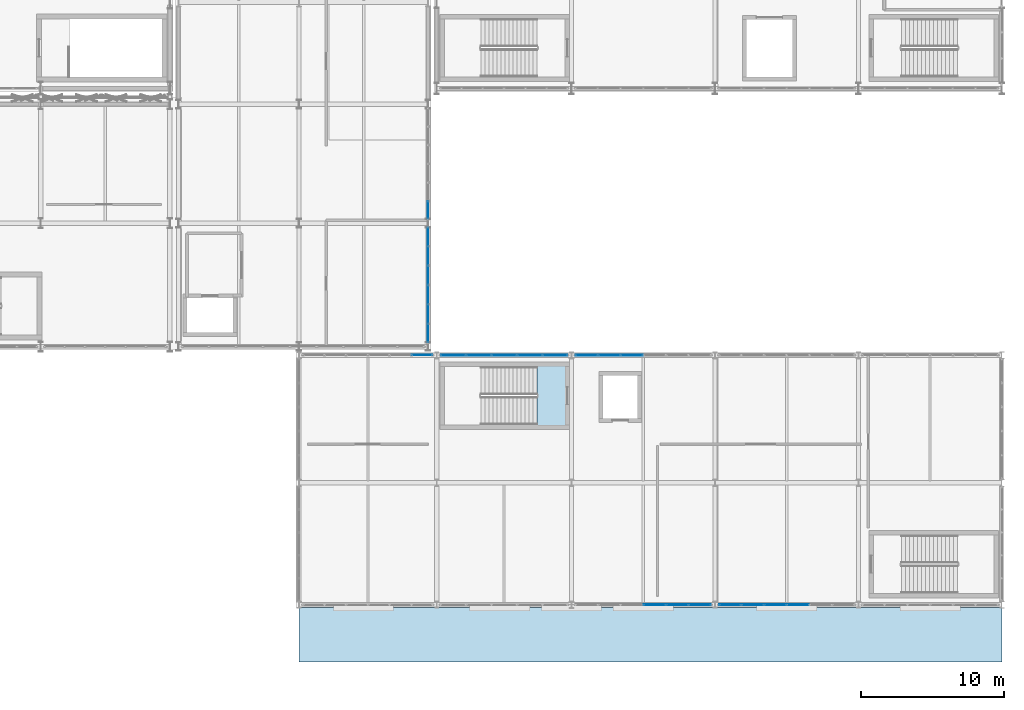
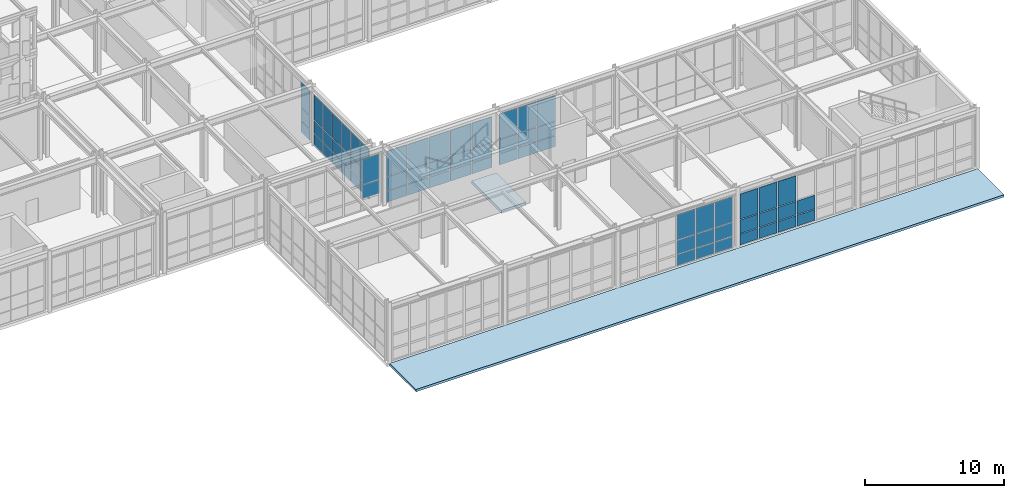
# One storey, part 143 of 210: 67 plates, 2 slabs, 7 elements without a shape of their own.
"""IFC4 building model written with IfcOpenShell, lengths in metres."""

from ifc_helpers import new_model, si_unit, direction, frame, origin, origin_2d, place, context, subcontext, project, spatial, polyline, rectangle, outline, extrude, material, layer, layer_set, type_object, element, aggregate, save


model = new_model("IFC4")

# Units and contexts
model_context = context("Model", 3, precision=1e-05, world=origin(), true_north=direction((0.0, 1.0)))
body_context = subcontext(model_context, "Body", "Model", "MODEL_VIEW")
ifc_project = project(units=[si_unit("LENGTHUNIT", "METRE"), si_unit("AREAUNIT", "SQUARE_METRE"), si_unit("VOLUMEUNIT", "CUBIC_METRE"), si_unit("PLANEANGLEUNIT", "RADIAN"), si_unit("MASSUNIT", "GRAM", prefix="KILO")], contexts=[model_context])

# Site, building, storey
site_placement = place(None, origin())
site = spatial("IfcSite", under=ifc_project, at=site_placement, CompositionType="ELEMENT")
building_placement = place(site_placement, origin())
building = spatial("IfcBuilding", under=site, at=building_placement, Name="Kaldris Quays Convention Centre", CompositionType="ELEMENT")
storey_placement = place(building_placement, frame((0.0, 0.0, 6.0)))
storey = spatial("IfcBuildingStorey", under=building, at=storey_placement, Name="L01", CompositionType="ELEMENT", Elevation=6.0)

# Curtain wall, plates
ifc_material_1 = material(Name="Anodized aluminium AW-6060 and triple glazing", Category="aluminium")
curtain_wall_type_1 = type_object("IfcCurtainWallType", Name="UNITISED CURTAIN WALL CW04", PredefinedType="NOTDEFINED", material=ifc_material_1)
curtain_wall_1_placement = place(storey_placement, origin())
curtain_wall_1 = element("IfcCurtainWall", 1, at=curtain_wall_1_placement, inside=storey, type_object=curtain_wall_type_1, Name="L01 Unitised Curtain Wall CW04 138", PredefinedType="NOTDEFINED")
ifc_material_2 = material(Name="Triple low-E insulated glazing", Category="glass")
plate_type_1 = type_object("IfcPlateType", Name="CURTAIN GLAZING PANEL CWP2", PredefinedType="CURTAIN_PANEL", material=ifc_material_2)
plate_1_placement = place(storey_placement, frame((164.0, 38.93994140625, 0.06005859375), z_axis=(0.0, 0.0, 1.0), x_axis=(0.0, 1.0, 0.0)))
plate_1 = element("IfcPlate", 2, at=plate_1_placement, type_object=plate_type_1, Name="CW04 panel 1.1", PredefinedType="CURTAIN_PANEL", context=body_context, shape_type="SweptSolid", body=[
    extrude(rectangle(XDim=1.260009765625, YDim=0.033935546875, at=origin_2d()), origin(), (0.0, 0.0, 1.0), 0.9599609375),
])
plate_2_placement = place(storey_placement, frame((164.0, 38.93994140625, 1.080078125), z_axis=(0.0, 0.0, 1.0), x_axis=(0.0, 1.0, 0.0)))
plate_2 = element("IfcPlate", 3, at=plate_2_placement, type_object=plate_type_1, Name="CW04 panel 1.2", PredefinedType="CURTAIN_PANEL", context=body_context, shape_type="SweptSolid", body=[
    extrude(rectangle(XDim=1.260009765625, YDim=0.033935546875, at=origin_2d()), origin(), (0.0, 0.0, 1.0), 1.14892578125),
])
plate_3_placement = place(storey_placement, frame((164.0, 38.93994140625, 2.2890625), z_axis=(0.0, 0.0, 1.0), x_axis=(0.0, 1.0, 0.0)))
plate_3 = element("IfcPlate", 4, at=plate_3_placement, type_object=plate_type_1, Name="CW04 panel 1.3", PredefinedType="CURTAIN_PANEL", context=body_context, shape_type="SweptSolid", body=[
    extrude(rectangle(XDim=1.260009765625, YDim=0.033935546875, at=origin_2d()), origin(), (0.0, 0.0, 1.0), 2.1689453125),
])
plate_4_placement = place(storey_placement, frame((164.0, 40.27490234375, 0.06005859375), z_axis=(0.0, 0.0, 1.0), x_axis=(0.0, 1.0, 0.0)))
plate_4 = element("IfcPlate", 5, at=plate_4_placement, type_object=plate_type_1, Name="CW04 panel 2.1", PredefinedType="CURTAIN_PANEL", context=body_context, shape_type="SweptSolid", body=[
    extrude(rectangle(XDim=1.2900390625, YDim=0.033935546875, at=origin_2d()), origin(), (0.0, 0.0, 1.0), 0.9599609375),
])
plate_5_placement = place(storey_placement, frame((164.0, 40.27490234375, 1.080078125), z_axis=(0.0, 0.0, 1.0), x_axis=(0.0, 1.0, 0.0)))
plate_5 = element("IfcPlate", 6, at=plate_5_placement, type_object=plate_type_1, Name="CW04 panel 2.2", PredefinedType="CURTAIN_PANEL", context=body_context, shape_type="SweptSolid", body=[
    extrude(rectangle(XDim=1.2900390625, YDim=0.033935546875, at=origin_2d()), origin(), (0.0, 0.0, 1.0), 1.14892578125),
])
plate_6_placement = place(storey_placement, frame((164.0, 40.27490234375, 2.2890625), z_axis=(0.0, 0.0, 1.0), x_axis=(0.0, 1.0, 0.0)))
plate_6 = element("IfcPlate", 7, at=plate_6_placement, type_object=plate_type_1, Name="CW04 panel 2.3", PredefinedType="CURTAIN_PANEL", context=body_context, shape_type="SweptSolid", body=[
    extrude(rectangle(XDim=1.2900390625, YDim=0.033935546875, at=origin_2d()), origin(), (0.0, 0.0, 1.0), 2.1689453125),
])
plate_7_placement = place(storey_placement, frame((164.0, 41.625, 0.06005859375), z_axis=(0.0, 0.0, 1.0), x_axis=(0.0, 1.0, 0.0)))
plate_7 = element("IfcPlate", 8, at=plate_7_placement, type_object=plate_type_1, Name="CW04 panel 3.1", PredefinedType="CURTAIN_PANEL", context=body_context, shape_type="SweptSolid", body=[
    extrude(rectangle(XDim=1.2900390625, YDim=0.033935546875, at=origin_2d()), origin(), (0.0, 0.0, 1.0), 0.9599609375),
])
plate_8_placement = place(storey_placement, frame((164.0, 41.625, 1.080078125), z_axis=(0.0, 0.0, 1.0), x_axis=(0.0, 1.0, 0.0)))
plate_8 = element("IfcPlate", 9, at=plate_8_placement, type_object=plate_type_1, Name="CW04 panel 3.2", PredefinedType="CURTAIN_PANEL", context=body_context, shape_type="SweptSolid", body=[
    extrude(rectangle(XDim=1.2900390625, YDim=0.033935546875, at=origin_2d()), origin(), (0.0, 0.0, 1.0), 1.14892578125),
])
plate_9_placement = place(storey_placement, frame((164.0, 41.625, 2.2890625), z_axis=(0.0, 0.0, 1.0), x_axis=(0.0, 1.0, 0.0)))
plate_9 = element("IfcPlate", 10, at=plate_9_placement, type_object=plate_type_1, Name="CW04 panel 3.3", PredefinedType="CURTAIN_PANEL", context=body_context, shape_type="SweptSolid", body=[
    extrude(rectangle(XDim=1.2900390625, YDim=0.033935546875, at=origin_2d()), origin(), (0.0, 0.0, 1.0), 2.1689453125),
])
plate_10_placement = place(storey_placement, frame((164.0, 42.97509765625, 0.06005859375), z_axis=(0.0, 0.0, 1.0), x_axis=(0.0, 1.0, 0.0)))
plate_10 = element("IfcPlate", 11, at=plate_10_placement, type_object=plate_type_1, Name="CW04 panel 4.1", PredefinedType="CURTAIN_PANEL", context=body_context, shape_type="SweptSolid", body=[
    extrude(rectangle(XDim=1.2900390625, YDim=0.033935546875, at=origin_2d()), origin(), (0.0, 0.0, 1.0), 0.9599609375),
])
plate_11_placement = place(storey_placement, frame((164.0, 42.97509765625, 1.080078125), z_axis=(0.0, 0.0, 1.0), x_axis=(0.0, 1.0, 0.0)))
plate_11 = element("IfcPlate", 12, at=plate_11_placement, type_object=plate_type_1, Name="CW04 panel 4.2", PredefinedType="CURTAIN_PANEL", context=body_context, shape_type="SweptSolid", body=[
    extrude(rectangle(XDim=1.2900390625, YDim=0.033935546875, at=origin_2d()), origin(), (0.0, 0.0, 1.0), 1.14892578125),
])
plate_12_placement = place(storey_placement, frame((164.0, 42.97509765625, 2.2890625), z_axis=(0.0, 0.0, 1.0), x_axis=(0.0, 1.0, 0.0)))
plate_12 = element("IfcPlate", 13, at=plate_12_placement, type_object=plate_type_1, Name="CW04 panel 4.3", PredefinedType="CURTAIN_PANEL", context=body_context, shape_type="SweptSolid", body=[
    extrude(rectangle(XDim=1.2900390625, YDim=0.033935546875, at=origin_2d()), origin(), (0.0, 0.0, 1.0), 2.1689453125),
])
plate_13_placement = place(storey_placement, frame((164.0, 44.324951171875, 0.06005859375), z_axis=(0.0, 0.0, 1.0), x_axis=(0.0, 1.0, 0.0)))
plate_13 = element("IfcPlate", 14, at=plate_13_placement, type_object=plate_type_1, Name="CW04 panel 5.1", PredefinedType="CURTAIN_PANEL", context=body_context, shape_type="SweptSolid", body=[
    extrude(rectangle(XDim=1.2900390625, YDim=0.033935546875, at=origin_2d()), origin(), (0.0, 0.0, 1.0), 0.9599609375),
])
plate_14_placement = place(storey_placement, frame((164.0, 44.324951171875, 1.080078125), z_axis=(0.0, 0.0, 1.0), x_axis=(0.0, 1.0, 0.0)))
plate_14 = element("IfcPlate", 15, at=plate_14_placement, type_object=plate_type_1, Name="CW04 panel 5.2", PredefinedType="CURTAIN_PANEL", context=body_context, shape_type="SweptSolid", body=[
    extrude(rectangle(XDim=1.2900390625, YDim=0.033935546875, at=origin_2d()), origin(), (0.0, 0.0, 1.0), 1.14892578125),
])
plate_15_placement = place(storey_placement, frame((164.0, 44.324951171875, 2.2890625), z_axis=(0.0, 0.0, 1.0), x_axis=(0.0, 1.0, 0.0)))
plate_15 = element("IfcPlate", 16, at=plate_15_placement, type_object=plate_type_1, Name="CW04 panel 5.3", PredefinedType="CURTAIN_PANEL", context=body_context, shape_type="SweptSolid", body=[
    extrude(rectangle(XDim=1.2900390625, YDim=0.033935546875, at=origin_2d()), origin(), (0.0, 0.0, 1.0), 2.1689453125),
])
plate_16_placement = place(storey_placement, frame((164.0, 45.659912109375, 0.06005859375), z_axis=(0.0, 0.0, 1.0), x_axis=(0.0, 1.0, 0.0)))
plate_16 = element("IfcPlate", 17, at=plate_16_placement, type_object=plate_type_1, Name="CW04 panel 6.1", PredefinedType="CURTAIN_PANEL", context=body_context, shape_type="SweptSolid", body=[
    extrude(rectangle(XDim=1.260009765625, YDim=0.033935546875, at=origin_2d()), origin(), (0.0, 0.0, 1.0), 0.9599609375),
])
plate_17_placement = place(storey_placement, frame((164.0, 45.659912109375, 1.080078125), z_axis=(0.0, 0.0, 1.0), x_axis=(0.0, 1.0, 0.0)))
plate_17 = element("IfcPlate", 18, at=plate_17_placement, type_object=plate_type_1, Name="CW04 panel 6.2", PredefinedType="CURTAIN_PANEL", context=body_context, shape_type="SweptSolid", body=[
    extrude(rectangle(XDim=1.260009765625, YDim=0.033935546875, at=origin_2d()), origin(), (0.0, 0.0, 1.0), 1.14892578125),
])
plate_18_placement = place(storey_placement, frame((164.0, 45.659912109375, 2.2890625), z_axis=(0.0, 0.0, 1.0), x_axis=(0.0, 1.0, 0.0)))
plate_18 = element("IfcPlate", 19, at=plate_18_placement, type_object=plate_type_1, Name="CW04 panel 6.3", PredefinedType="CURTAIN_PANEL", context=body_context, shape_type="SweptSolid", body=[
    extrude(rectangle(XDim=1.260009765625, YDim=0.033935546875, at=origin_2d()), origin(), (0.0, 0.0, 1.0), 2.1689453125),
])
aggregate(curtain_wall_1, [plate_1, plate_2, plate_3, plate_4, plate_5, plate_6, plate_7, plate_8, plate_9, plate_10, plate_11, plate_12, plate_13, plate_14, plate_15, plate_16, plate_17, plate_18])

curtain_wall_type_2 = type_object("IfcCurtainWallType", Name="UNITISED CURTAIN WALL CW02", PredefinedType="NOTDEFINED", material=ifc_material_1)
curtain_wall_2_placement = place(storey_placement, origin())
curtain_wall_2 = element("IfcCurtainWall", 20, at=curtain_wall_2_placement, inside=storey, type_object=curtain_wall_type_2, Name="L01 Unitised Curtain Wall CW02 186", PredefinedType="NOTDEFINED")
plate_19_placement = place(storey_placement, frame((163.57666015625, 37.39990234375, 1.080078125), z_axis=(0.0, 0.0, 1.0), x_axis=(1.0, 0.0, 0.0)))
plate_19 = element("IfcPlate", 21, at=plate_19_placement, type_object=plate_type_1, Name="CW02 panel 6.2", PredefinedType="CURTAIN_PANEL", context=body_context, shape_type="SweptSolid", body=[
    extrude(rectangle(XDim=1.4267578125, YDim=0.033935546875, at=origin_2d()), origin(), (0.0, 0.0, 1.0), 1.18994140625),
])
plate_20_placement = place(storey_placement, frame((163.57666015625, 37.39990234375, 2.330078125), z_axis=(0.0, 0.0, 1.0), x_axis=(1.0, 0.0, 0.0)))
plate_20 = element("IfcPlate", 22, at=plate_20_placement, type_object=plate_type_1, Name="CW02 panel 6.3", PredefinedType="CURTAIN_PANEL", context=body_context, shape_type="SweptSolid", body=[
    extrude(rectangle(XDim=1.4267578125, YDim=0.033935546875, at=origin_2d()), origin(), (0.0, 0.0, 1.0), 2.2099609375),
])
aggregate(curtain_wall_2, [plate_19, plate_20])

curtain_wall_3_placement = place(storey_placement, origin())
curtain_wall_3 = element("IfcCurtainWall", 23, at=curtain_wall_3_placement, inside=storey, type_object=curtain_wall_type_1, Name="L01 Unitised Curtain Wall CW04 139", PredefinedType="NOTDEFINED")
plate_type_2 = type_object("IfcPlateType", Name="CURTAIN GLAZING PANEL CWP3", PredefinedType="CURTAIN_PANEL", material=ifc_material_2)
plate_21_placement = place(storey_placement, frame((164.0, 47.514892578125, 0.06005859375), z_axis=(0.0, 0.0, 1.0), x_axis=(0.0, 1.0, 0.0)))
plate_21 = element("IfcPlate", 24, at=plate_21_placement, type_object=plate_type_2, Name="CW04 panel 1.1", PredefinedType="CURTAIN_PANEL", context=body_context, shape_type="SweptSolid", body=[
    extrude(rectangle(XDim=1.2099609375, YDim=0.0390625, at=origin_2d()), origin(), (0.0, 0.0, 1.0), 0.9599609375),
])
plate_22_placement = place(storey_placement, frame((164.0, 47.514892578125, 1.080078125), z_axis=(0.0, 0.0, 1.0), x_axis=(0.0, 1.0, 0.0)))
plate_22 = element("IfcPlate", 25, at=plate_22_placement, type_object=plate_type_2, Name="CW04 panel 1.2", PredefinedType="CURTAIN_PANEL", context=body_context, shape_type="SweptSolid", body=[
    extrude(rectangle(XDim=1.2099609375, YDim=0.0390625, at=origin_2d()), origin(), (0.0, 0.0, 1.0), 1.14892578125),
])
plate_23_placement = place(storey_placement, frame((164.0, 47.514892578125, 2.2890625), z_axis=(0.0, 0.0, 1.0), x_axis=(0.0, 1.0, 0.0)))
plate_23 = element("IfcPlate", 26, at=plate_23_placement, type_object=plate_type_2, Name="CW04 panel 1.3", PredefinedType="CURTAIN_PANEL", context=body_context, shape_type="SweptSolid", body=[
    extrude(rectangle(XDim=1.2099609375, YDim=0.0390625, at=origin_2d()), origin(), (0.0, 0.0, 1.0), 2.1689453125),
])
aggregate(curtain_wall_3, [plate_21, plate_22, plate_23])

curtain_wall_4_placement = place(storey_placement, origin())
curtain_wall_4 = element("IfcCurtainWall", 27, at=curtain_wall_4_placement, inside=storey, type_object=curtain_wall_type_2, Name="L01 Unitised Curtain Wall CW02 188", PredefinedType="NOTDEFINED")
plate_type_3 = type_object("IfcPlateType", Name="CURTAIN GLAZING PANEL CWP4", PredefinedType="CURTAIN_PANEL", material=ifc_material_2)
plate_24_placement = place(storey_placement, frame((165.7548828125, 37.39990234375, 0.06005859375), z_axis=(0.0, 0.0, 1.0), x_axis=(1.0, 0.0, 0.0)))
plate_24 = element("IfcPlate", 28, at=plate_24_placement, type_object=plate_type_3, Name="CW02 panel 1.1", PredefinedType="CURTAIN_PANEL", context=body_context, shape_type="SweptSolid", body=[
    extrude(rectangle(XDim=1.68994140625, YDim=0.0439453125, at=origin_2d()), origin(), (0.0, 0.0, 1.0), 0.9599609375),
])
plate_25_placement = place(storey_placement, frame((165.7548828125, 37.39990234375, 1.080078125), z_axis=(0.0, 0.0, 1.0), x_axis=(1.0, 0.0, 0.0)))
plate_25 = element("IfcPlate", 29, at=plate_25_placement, type_object=plate_type_3, Name="CW02 panel 1.2", PredefinedType="CURTAIN_PANEL", context=body_context, shape_type="SweptSolid", body=[
    extrude(rectangle(XDim=1.68994140625, YDim=0.0439453125, at=origin_2d()), origin(), (0.0, 0.0, 1.0), 1.18994140625),
])
plate_26_placement = place(storey_placement, frame((165.7548828125, 37.39990234375, 2.330078125), z_axis=(0.0, 0.0, 1.0), x_axis=(1.0, 0.0, 0.0)))
plate_26 = element("IfcPlate", 30, at=plate_26_placement, type_object=plate_type_3, Name="CW02 panel 1.3", PredefinedType="CURTAIN_PANEL", context=body_context, shape_type="SweptSolid", body=[
    extrude(rectangle(XDim=1.68994140625, YDim=0.0439453125, at=origin_2d()), origin(), (0.0, 0.0, 1.0), 2.2099609375),
])
plate_27_placement = place(storey_placement, frame((167.52001953125, 37.39990234375, 0.06005859375), z_axis=(0.0, 0.0, 1.0), x_axis=(1.0, 0.0, 0.0)))
plate_27 = element("IfcPlate", 31, at=plate_27_placement, type_object=plate_type_3, Name="CW02 panel 2.1", PredefinedType="CURTAIN_PANEL", context=body_context, shape_type="SweptSolid", body=[
    extrude(rectangle(XDim=1.719970703125, YDim=0.0439453125, at=origin_2d()), origin(), (0.0, 0.0, 1.0), 0.9599609375),
])
plate_28_placement = place(storey_placement, frame((167.52001953125, 37.39990234375, 1.080078125), z_axis=(0.0, 0.0, 1.0), x_axis=(1.0, 0.0, 0.0)))
plate_28 = element("IfcPlate", 32, at=plate_28_placement, type_object=plate_type_3, Name="CW02 panel 2.2", PredefinedType="CURTAIN_PANEL", context=body_context, shape_type="SweptSolid", body=[
    extrude(rectangle(XDim=1.719970703125, YDim=0.0439453125, at=origin_2d()), origin(), (0.0, 0.0, 1.0), 1.18994140625),
])
plate_29_placement = place(storey_placement, frame((167.52001953125, 37.39990234375, 2.330078125), z_axis=(0.0, 0.0, 1.0), x_axis=(1.0, 0.0, 0.0)))
plate_29 = element("IfcPlate", 33, at=plate_29_placement, type_object=plate_type_3, Name="CW02 panel 2.3", PredefinedType="CURTAIN_PANEL", context=body_context, shape_type="SweptSolid", body=[
    extrude(rectangle(XDim=1.719970703125, YDim=0.0439453125, at=origin_2d()), origin(), (0.0, 0.0, 1.0), 2.2099609375),
])
plate_30_placement = place(storey_placement, frame((169.300048828125, 37.39990234375, 0.06005859375), z_axis=(0.0, 0.0, 1.0), x_axis=(1.0, 0.0, 0.0)))
plate_30 = element("IfcPlate", 34, at=plate_30_placement, type_object=plate_type_3, Name="CW02 panel 3.1", PredefinedType="CURTAIN_PANEL", context=body_context, shape_type="SweptSolid", body=[
    extrude(rectangle(XDim=1.719970703125, YDim=0.0439453125, at=origin_2d()), origin(), (0.0, 0.0, 1.0), 0.9599609375),
])
plate_31_placement = place(storey_placement, frame((169.300048828125, 37.39990234375, 1.080078125), z_axis=(0.0, 0.0, 1.0), x_axis=(1.0, 0.0, 0.0)))
plate_31 = element("IfcPlate", 35, at=plate_31_placement, type_object=plate_type_3, Name="CW02 panel 3.2", PredefinedType="CURTAIN_PANEL", context=body_context, shape_type="SweptSolid", body=[
    extrude(rectangle(XDim=1.719970703125, YDim=0.0439453125, at=origin_2d()), origin(), (0.0, 0.0, 1.0), 1.18994140625),
])
plate_32_placement = place(storey_placement, frame((169.300048828125, 37.39990234375, 2.330078125), z_axis=(0.0, 0.0, 1.0), x_axis=(1.0, 0.0, 0.0)))
plate_32 = element("IfcPlate", 36, at=plate_32_placement, type_object=plate_type_3, Name="CW02 panel 3.3", PredefinedType="CURTAIN_PANEL", context=body_context, shape_type="SweptSolid", body=[
    extrude(rectangle(XDim=1.719970703125, YDim=0.0439453125, at=origin_2d()), origin(), (0.0, 0.0, 1.0), 2.2099609375),
])
plate_33_placement = place(storey_placement, frame((171.080078125, 37.39990234375, 0.06005859375), z_axis=(0.0, 0.0, 1.0), x_axis=(1.0, 0.0, 0.0)))
plate_33 = element("IfcPlate", 37, at=plate_33_placement, type_object=plate_type_3, Name="CW02 panel 4.1", PredefinedType="CURTAIN_PANEL", context=body_context, shape_type="SweptSolid", body=[
    extrude(rectangle(XDim=1.719970703125, YDim=0.0439453125, at=origin_2d()), origin(), (0.0, 0.0, 1.0), 0.9599609375),
])
plate_34_placement = place(storey_placement, frame((171.080078125, 37.39990234375, 1.080078125), z_axis=(0.0, 0.0, 1.0), x_axis=(1.0, 0.0, 0.0)))
plate_34 = element("IfcPlate", 38, at=plate_34_placement, type_object=plate_type_3, Name="CW02 panel 4.2", PredefinedType="CURTAIN_PANEL", context=body_context, shape_type="SweptSolid", body=[
    extrude(rectangle(XDim=1.719970703125, YDim=0.0439453125, at=origin_2d()), origin(), (0.0, 0.0, 1.0), 1.18994140625),
])
plate_35_placement = place(storey_placement, frame((171.080078125, 37.39990234375, 2.330078125), z_axis=(0.0, 0.0, 1.0), x_axis=(1.0, 0.0, 0.0)))
plate_35 = element("IfcPlate", 39, at=plate_35_placement, type_object=plate_type_3, Name="CW02 panel 4.3", PredefinedType="CURTAIN_PANEL", context=body_context, shape_type="SweptSolid", body=[
    extrude(rectangle(XDim=1.719970703125, YDim=0.0439453125, at=origin_2d()), origin(), (0.0, 0.0, 1.0), 2.2099609375),
])
plate_36_placement = place(storey_placement, frame((172.844970703125, 37.39990234375, 0.06005859375), z_axis=(0.0, 0.0, 1.0), x_axis=(1.0, 0.0, 0.0)))
plate_36 = element("IfcPlate", 40, at=plate_36_placement, type_object=plate_type_3, Name="CW02 panel 5.1", PredefinedType="CURTAIN_PANEL", context=body_context, shape_type="SweptSolid", body=[
    extrude(rectangle(XDim=1.68994140625, YDim=0.0439453125, at=origin_2d()), origin(), (0.0, 0.0, 1.0), 0.9599609375),
])
plate_37_placement = place(storey_placement, frame((172.844970703125, 37.39990234375, 1.080078125), z_axis=(0.0, 0.0, 1.0), x_axis=(1.0, 0.0, 0.0)))
plate_37 = element("IfcPlate", 41, at=plate_37_placement, type_object=plate_type_3, Name="CW02 panel 5.2", PredefinedType="CURTAIN_PANEL", context=body_context, shape_type="SweptSolid", body=[
    extrude(rectangle(XDim=1.68994140625, YDim=0.0439453125, at=origin_2d()), origin(), (0.0, 0.0, 1.0), 1.18994140625),
])
plate_38_placement = place(storey_placement, frame((172.844970703125, 37.39990234375, 2.330078125), z_axis=(0.0, 0.0, 1.0), x_axis=(1.0, 0.0, 0.0)))
plate_38 = element("IfcPlate", 42, at=plate_38_placement, type_object=plate_type_3, Name="CW02 panel 5.3", PredefinedType="CURTAIN_PANEL", context=body_context, shape_type="SweptSolid", body=[
    extrude(rectangle(XDim=1.68994140625, YDim=0.0439453125, at=origin_2d()), origin(), (0.0, 0.0, 1.0), 2.2099609375),
])
aggregate(curtain_wall_4, [plate_24, plate_25, plate_26, plate_27, plate_28, plate_29, plate_30, plate_31, plate_32, plate_33, plate_34, plate_35, plate_36, plate_37, plate_38])

curtain_wall_5_placement = place(storey_placement, origin())
curtain_wall_5 = element("IfcCurtainWall", 43, at=curtain_wall_5_placement, inside=storey, type_object=curtain_wall_type_2, Name="L01 Unitised Curtain Wall CW02 189", PredefinedType="NOTDEFINED")
plate_type_4 = type_object("IfcPlateType", Name="CURTAIN GLAZING PANEL CWP5", PredefinedType="CURTAIN_PANEL", material=ifc_material_2)
plate_39_placement = place(storey_placement, frame((179.791748046875, 20.0, 0.06005859375), z_axis=(0.0, 0.0, 1.0), x_axis=(1.0, 0.0, 0.0)))
plate_39 = element("IfcPlate", 44, at=plate_39_placement, type_object=plate_type_4, Name="CW02 panel 4.1", PredefinedType="CURTAIN_PANEL", context=body_context, shape_type="SweptSolid", body=[
    extrude(rectangle(XDim=1.5234375, YDim=0.049072265625, at=origin_2d()), origin(), (0.0, 0.0, 1.0), 0.9599609375),
])
plate_40_placement = place(storey_placement, frame((179.791748046875, 20.0, 1.080078125), z_axis=(0.0, 0.0, 1.0), x_axis=(1.0, 0.0, 0.0)))
plate_40 = element("IfcPlate", 45, at=plate_40_placement, type_object=plate_type_4, Name="CW02 panel 4.2", PredefinedType="CURTAIN_PANEL", context=body_context, shape_type="SweptSolid", body=[
    extrude(rectangle(XDim=1.5234375, YDim=0.049072265625, at=origin_2d()), origin(), (0.0, 0.0, 1.0), 1.18994140625),
])
plate_41_placement = place(storey_placement, frame((179.791748046875, 20.0, 2.330078125), z_axis=(0.0, 0.0, 1.0), x_axis=(1.0, 0.0, 0.0)))
plate_41 = element("IfcPlate", 46, at=plate_41_placement, type_object=plate_type_4, Name="CW02 panel 4.3", PredefinedType="CURTAIN_PANEL", context=body_context, shape_type="SweptSolid", body=[
    extrude(rectangle(XDim=1.5234375, YDim=0.049072265625, at=origin_2d()), origin(), (0.0, 0.0, 1.0), 2.2099609375),
])
plate_42_placement = place(storey_placement, frame((181.375, 20.0, 0.06005859375), z_axis=(0.0, 0.0, 1.0), x_axis=(1.0, 0.0, 0.0)))
plate_42 = element("IfcPlate", 47, at=plate_42_placement, type_object=plate_type_4, Name="CW02 panel 5.1", PredefinedType="CURTAIN_PANEL", context=body_context, shape_type="SweptSolid", body=[
    extrude(rectangle(XDim=1.5234375, YDim=0.049072265625, at=origin_2d()), origin(), (0.0, 0.0, 1.0), 0.9599609375),
])
plate_43_placement = place(storey_placement, frame((181.375, 20.0, 1.080078125), z_axis=(0.0, 0.0, 1.0), x_axis=(1.0, 0.0, 0.0)))
plate_43 = element("IfcPlate", 48, at=plate_43_placement, type_object=plate_type_4, Name="CW02 panel 5.2", PredefinedType="CURTAIN_PANEL", context=body_context, shape_type="SweptSolid", body=[
    extrude(rectangle(XDim=1.5234375, YDim=0.049072265625, at=origin_2d()), origin(), (0.0, 0.0, 1.0), 1.18994140625),
])
plate_44_placement = place(storey_placement, frame((181.375, 20.0, 2.330078125), z_axis=(0.0, 0.0, 1.0), x_axis=(1.0, 0.0, 0.0)))
plate_44 = element("IfcPlate", 49, at=plate_44_placement, type_object=plate_type_4, Name="CW02 panel 5.3", PredefinedType="CURTAIN_PANEL", context=body_context, shape_type="SweptSolid", body=[
    extrude(rectangle(XDim=1.5234375, YDim=0.049072265625, at=origin_2d()), origin(), (0.0, 0.0, 1.0), 2.2099609375),
])
plate_45_placement = place(storey_placement, frame((182.943359375, 20.0, 0.06005859375), z_axis=(0.0, 0.0, 1.0), x_axis=(1.0, 0.0, 0.0)))
plate_45 = element("IfcPlate", 50, at=plate_45_placement, type_object=plate_type_4, Name="CW02 panel 6.1", PredefinedType="CURTAIN_PANEL", context=body_context, shape_type="SweptSolid", body=[
    extrude(rectangle(XDim=1.493408203125, YDim=0.049072265625, at=origin_2d()), origin(), (0.0, 0.0, 1.0), 0.9599609375),
])
plate_46_placement = place(storey_placement, frame((182.943359375, 20.0, 1.080078125), z_axis=(0.0, 0.0, 1.0), x_axis=(1.0, 0.0, 0.0)))
plate_46 = element("IfcPlate", 51, at=plate_46_placement, type_object=plate_type_4, Name="CW02 panel 6.2", PredefinedType="CURTAIN_PANEL", context=body_context, shape_type="SweptSolid", body=[
    extrude(rectangle(XDim=1.493408203125, YDim=0.049072265625, at=origin_2d()), origin(), (0.0, 0.0, 1.0), 1.18994140625),
])
plate_47_placement = place(storey_placement, frame((182.943359375, 20.0, 2.330078125), z_axis=(0.0, 0.0, 1.0), x_axis=(1.0, 0.0, 0.0)))
plate_47 = element("IfcPlate", 52, at=plate_47_placement, type_object=plate_type_4, Name="CW02 panel 6.3", PredefinedType="CURTAIN_PANEL", context=body_context, shape_type="SweptSolid", body=[
    extrude(rectangle(XDim=1.493408203125, YDim=0.049072265625, at=origin_2d()), origin(), (0.0, 0.0, 1.0), 2.2099609375),
])
aggregate(curtain_wall_5, [plate_39, plate_40, plate_41, plate_42, plate_43, plate_44, plate_45, plate_46, plate_47])

curtain_wall_6_placement = place(storey_placement, origin())
curtain_wall_6 = element("IfcCurtainWall", 53, at=curtain_wall_6_placement, inside=storey, type_object=curtain_wall_type_2, Name="L01 Unitised Curtain Wall CW02 190", PredefinedType="NOTDEFINED")
plate_type_5 = type_object("IfcPlateType", Name="CURTAIN GLAZING PANEL CWP6", PredefinedType="CURTAIN_PANEL", material=ifc_material_2)
plate_48_placement = place(storey_placement, frame((175.056640625, 37.39990234375, 0.06005859375), z_axis=(0.0, 0.0, 1.0), x_axis=(1.0, 0.0, 0.0)))
plate_48 = element("IfcPlate", 54, at=plate_48_placement, type_object=plate_type_5, Name="CW02 panel 1.1", PredefinedType="CURTAIN_PANEL", context=body_context, shape_type="SweptSolid", body=[
    extrude(rectangle(XDim=1.493408203125, YDim=0.053955078125, at=origin_2d()), origin(), (0.0, 0.0, 1.0), 0.9599609375),
])
plate_49_placement = place(storey_placement, frame((175.056640625, 37.39990234375, 1.080078125), z_axis=(0.0, 0.0, 1.0), x_axis=(1.0, 0.0, 0.0)))
plate_49 = element("IfcPlate", 55, at=plate_49_placement, type_object=plate_type_5, Name="CW02 panel 1.2", PredefinedType="CURTAIN_PANEL", context=body_context, shape_type="SweptSolid", body=[
    extrude(rectangle(XDim=1.493408203125, YDim=0.053955078125, at=origin_2d()), origin(), (0.0, 0.0, 1.0), 1.18994140625),
])
plate_50_placement = place(storey_placement, frame((175.056640625, 37.39990234375, 2.330078125), z_axis=(0.0, 0.0, 1.0), x_axis=(1.0, 0.0, 0.0)))
plate_50 = element("IfcPlate", 56, at=plate_50_placement, type_object=plate_type_5, Name="CW02 panel 1.3", PredefinedType="CURTAIN_PANEL", context=body_context, shape_type="SweptSolid", body=[
    extrude(rectangle(XDim=1.493408203125, YDim=0.053955078125, at=origin_2d()), origin(), (0.0, 0.0, 1.0), 2.2099609375),
])
plate_51_placement = place(storey_placement, frame((176.625, 37.39990234375, 0.06005859375), z_axis=(0.0, 0.0, 1.0), x_axis=(1.0, 0.0, 0.0)))
plate_51 = element("IfcPlate", 57, at=plate_51_placement, type_object=plate_type_5, Name="CW02 panel 2.1", PredefinedType="CURTAIN_PANEL", context=body_context, shape_type="SweptSolid", body=[
    extrude(rectangle(XDim=1.5234375, YDim=0.053955078125, at=origin_2d()), origin(), (0.0, 0.0, 1.0), 0.9599609375),
])
plate_52_placement = place(storey_placement, frame((176.625, 37.39990234375, 1.080078125), z_axis=(0.0, 0.0, 1.0), x_axis=(1.0, 0.0, 0.0)))
plate_52 = element("IfcPlate", 58, at=plate_52_placement, type_object=plate_type_5, Name="CW02 panel 2.2", PredefinedType="CURTAIN_PANEL", context=body_context, shape_type="SweptSolid", body=[
    extrude(rectangle(XDim=1.5234375, YDim=0.053955078125, at=origin_2d()), origin(), (0.0, 0.0, 1.0), 1.18994140625),
])
plate_53_placement = place(storey_placement, frame((176.625, 37.39990234375, 2.330078125), z_axis=(0.0, 0.0, 1.0), x_axis=(1.0, 0.0, 0.0)))
plate_53 = element("IfcPlate", 59, at=plate_53_placement, type_object=plate_type_5, Name="CW02 panel 2.3", PredefinedType="CURTAIN_PANEL", context=body_context, shape_type="SweptSolid", body=[
    extrude(rectangle(XDim=1.5234375, YDim=0.053955078125, at=origin_2d()), origin(), (0.0, 0.0, 1.0), 2.2099609375),
])
plate_54_placement = place(storey_placement, frame((178.208251953125, 37.39990234375, 0.06005859375), z_axis=(0.0, 0.0, 1.0), x_axis=(1.0, 0.0, 0.0)))
plate_54 = element("IfcPlate", 60, at=plate_54_placement, type_object=plate_type_5, Name="CW02 panel 3.1", PredefinedType="CURTAIN_PANEL", context=body_context, shape_type="SweptSolid", body=[
    extrude(rectangle(XDim=1.5234375, YDim=0.053955078125, at=origin_2d()), origin(), (0.0, 0.0, 1.0), 0.9599609375),
])
plate_55_placement = place(storey_placement, frame((178.208251953125, 37.39990234375, 1.080078125), z_axis=(0.0, 0.0, 1.0), x_axis=(1.0, 0.0, 0.0)))
plate_55 = element("IfcPlate", 61, at=plate_55_placement, type_object=plate_type_5, Name="CW02 panel 3.2", PredefinedType="CURTAIN_PANEL", context=body_context, shape_type="SweptSolid", body=[
    extrude(rectangle(XDim=1.5234375, YDim=0.053955078125, at=origin_2d()), origin(), (0.0, 0.0, 1.0), 1.18994140625),
])
plate_56_placement = place(storey_placement, frame((178.208251953125, 37.39990234375, 2.330078125), z_axis=(0.0, 0.0, 1.0), x_axis=(1.0, 0.0, 0.0)))
plate_56 = element("IfcPlate", 62, at=plate_56_placement, type_object=plate_type_5, Name="CW02 panel 3.3", PredefinedType="CURTAIN_PANEL", context=body_context, shape_type="SweptSolid", body=[
    extrude(rectangle(XDim=1.5234375, YDim=0.053955078125, at=origin_2d()), origin(), (0.0, 0.0, 1.0), 2.2099609375),
])
aggregate(curtain_wall_6, [plate_48, plate_49, plate_50, plate_51, plate_52, plate_53, plate_54, plate_55, plate_56])

curtain_wall_7_placement = place(storey_placement, origin())
curtain_wall_7 = element("IfcCurtainWall", 63, at=curtain_wall_7_placement, inside=storey, type_object=curtain_wall_type_2, Name="L01 Unitised Curtain Wall CW02 191", PredefinedType="NOTDEFINED")
plate_type_6 = type_object("IfcPlateType", Name="CURTAIN GLAZING PANEL CWP7", PredefinedType="CURTAIN_PANEL", material=ifc_material_2)
plate_57_placement = place(storey_placement, frame((185.056640625, 20.0, 0.06005859375), z_axis=(0.0, 0.0, 1.0), x_axis=(1.0, 0.0, 0.0)))
plate_57 = element("IfcPlate", 64, at=plate_57_placement, type_object=plate_type_6, Name="CW02 panel 1.1", PredefinedType="CURTAIN_PANEL", context=body_context, shape_type="SweptSolid", body=[
    extrude(rectangle(XDim=1.493408203125, YDim=0.05908203125, at=origin_2d()), origin(), (0.0, 0.0, 1.0), 0.9599609375),
])
plate_58_placement = place(storey_placement, frame((185.056640625, 20.0, 1.080078125), z_axis=(0.0, 0.0, 1.0), x_axis=(1.0, 0.0, 0.0)))
plate_58 = element("IfcPlate", 65, at=plate_58_placement, type_object=plate_type_6, Name="CW02 panel 1.2", PredefinedType="CURTAIN_PANEL", context=body_context, shape_type="SweptSolid", body=[
    extrude(rectangle(XDim=1.493408203125, YDim=0.05908203125, at=origin_2d()), origin(), (0.0, 0.0, 1.0), 1.18994140625),
])
plate_59_placement = place(storey_placement, frame((185.056640625, 20.0, 2.330078125), z_axis=(0.0, 0.0, 1.0), x_axis=(1.0, 0.0, 0.0)))
plate_59 = element("IfcPlate", 66, at=plate_59_placement, type_object=plate_type_6, Name="CW02 panel 1.3", PredefinedType="CURTAIN_PANEL", context=body_context, shape_type="SweptSolid", body=[
    extrude(rectangle(XDim=1.493408203125, YDim=0.05908203125, at=origin_2d()), origin(), (0.0, 0.0, 1.0), 2.2099609375),
])
plate_60_placement = place(storey_placement, frame((186.625, 20.0, 0.06005859375), z_axis=(0.0, 0.0, 1.0), x_axis=(1.0, 0.0, 0.0)))
plate_60 = element("IfcPlate", 67, at=plate_60_placement, type_object=plate_type_6, Name="CW02 panel 2.1", PredefinedType="CURTAIN_PANEL", context=body_context, shape_type="SweptSolid", body=[
    extrude(rectangle(XDim=1.5234375, YDim=0.05908203125, at=origin_2d()), origin(), (0.0, 0.0, 1.0), 0.9599609375),
])
plate_61_placement = place(storey_placement, frame((186.625, 20.0, 1.080078125), z_axis=(0.0, 0.0, 1.0), x_axis=(1.0, 0.0, 0.0)))
plate_61 = element("IfcPlate", 68, at=plate_61_placement, type_object=plate_type_6, Name="CW02 panel 2.2", PredefinedType="CURTAIN_PANEL", context=body_context, shape_type="SweptSolid", body=[
    extrude(rectangle(XDim=1.5234375, YDim=0.05908203125, at=origin_2d()), origin(), (0.0, 0.0, 1.0), 1.18994140625),
])
plate_62_placement = place(storey_placement, frame((186.625, 20.0, 2.330078125), z_axis=(0.0, 0.0, 1.0), x_axis=(1.0, 0.0, 0.0)))
plate_62 = element("IfcPlate", 69, at=plate_62_placement, type_object=plate_type_6, Name="CW02 panel 2.3", PredefinedType="CURTAIN_PANEL", context=body_context, shape_type="SweptSolid", body=[
    extrude(rectangle(XDim=1.5234375, YDim=0.05908203125, at=origin_2d()), origin(), (0.0, 0.0, 1.0), 2.2099609375),
])
plate_63_placement = place(storey_placement, frame((188.208251953125, 20.0, 0.06005859375), z_axis=(0.0, 0.0, 1.0), x_axis=(1.0, 0.0, 0.0)))
plate_63 = element("IfcPlate", 70, at=plate_63_placement, type_object=plate_type_6, Name="CW02 panel 3.1", PredefinedType="CURTAIN_PANEL", context=body_context, shape_type="SweptSolid", body=[
    extrude(rectangle(XDim=1.5234375, YDim=0.05908203125, at=origin_2d()), origin(), (0.0, 0.0, 1.0), 0.9599609375),
])
plate_64_placement = place(storey_placement, frame((188.208251953125, 20.0, 1.080078125), z_axis=(0.0, 0.0, 1.0), x_axis=(1.0, 0.0, 0.0)))
plate_64 = element("IfcPlate", 71, at=plate_64_placement, type_object=plate_type_6, Name="CW02 panel 3.2", PredefinedType="CURTAIN_PANEL", context=body_context, shape_type="SweptSolid", body=[
    extrude(rectangle(XDim=1.5234375, YDim=0.05908203125, at=origin_2d()), origin(), (0.0, 0.0, 1.0), 1.18994140625),
])
plate_65_placement = place(storey_placement, frame((188.208251953125, 20.0, 2.330078125), z_axis=(0.0, 0.0, 1.0), x_axis=(1.0, 0.0, 0.0)))
plate_65 = element("IfcPlate", 72, at=plate_65_placement, type_object=plate_type_6, Name="CW02 panel 3.3", PredefinedType="CURTAIN_PANEL", context=body_context, shape_type="SweptSolid", body=[
    extrude(rectangle(XDim=1.5234375, YDim=0.05908203125, at=origin_2d()), origin(), (0.0, 0.0, 1.0), 2.2099609375),
])
plate_66_placement = place(storey_placement, frame((189.791748046875, 20.0, 0.06005859375), z_axis=(0.0, 0.0, 1.0), x_axis=(1.0, 0.0, 0.0)))
plate_66 = element("IfcPlate", 73, at=plate_66_placement, type_object=plate_type_6, Name="CW02 panel 4.1", PredefinedType="CURTAIN_PANEL", context=body_context, shape_type="SweptSolid", body=[
    extrude(rectangle(XDim=1.5234375, YDim=0.05908203125, at=origin_2d()), origin(), (0.0, 0.0, 1.0), 0.9599609375),
])
plate_67_placement = place(storey_placement, frame((189.791748046875, 20.0, 1.080078125), z_axis=(0.0, 0.0, 1.0), x_axis=(1.0, 0.0, 0.0)))
plate_67 = element("IfcPlate", 74, at=plate_67_placement, type_object=plate_type_6, Name="CW02 panel 4.2", PredefinedType="CURTAIN_PANEL", context=body_context, shape_type="SweptSolid", body=[
    extrude(rectangle(XDim=1.5234375, YDim=0.05908203125, at=origin_2d()), origin(), (0.0, 0.0, 1.0), 1.18994140625),
])
aggregate(curtain_wall_7, [plate_57, plate_58, plate_59, plate_60, plate_61, plate_62, plate_63, plate_64, plate_65, plate_66, plate_67])

# Slabs
ifc_material_3 = material(Name="Concrete C35/45", Category="concrete")
ifc_layer_1 = layer(ifc_material_3, 0.27490234375)
ifc_layer_set_1 = layer_set([ifc_layer_1], Name="Concrete C35/45")
slab_type_1 = type_object("IfcSlabType", Name="STRUCTURAL SLAB FS05", PredefinedType="FLOOR", material=ifc_layer_set_1)
slab_1_placement = place(storey_placement, frame((0.0, 0.0, -0.27490234375)))
element("IfcSlab", 75, at=slab_1_placement, inside=storey, type_object=slab_type_1, Name="L01 ST15 Core Floor Landing Slab", PredefinedType="FLOOR", context=body_context, shape_type="SweptSolid", body=[
    extrude(outline(polyline([(173.669921875, 36.719970703125), (171.60009765625, 36.719970703125), (171.60009765625, 32.429931640625), (173.669921875, 32.429931640625), (173.669921875, 36.719970703125)])), origin(), (0.0, 0.0, 1.0), 0.27490234375),
])
ifc_layer_2 = layer(ifc_material_3, 0.205078125)
ifc_layer_set_2 = layer_set([ifc_layer_2], Name="Concrete C35/45")
slab_type_2 = type_object("IfcSlabType", Name="STRUCTURAL SLAB RS01", PredefinedType="ROOF", material=ifc_layer_set_2)
slab_2_placement = place(storey_placement, frame((0.0, 0.0, -0.205078125)))
element("IfcSlab", 76, at=slab_2_placement, inside=storey, type_object=slab_type_2, Name="L01 V5 Colonnade Canopy Roof SLAB-L01-V5COLROOF", PredefinedType="ROOF", context=body_context, shape_type="SweptSolid", body=[
    extrude(outline(polyline([(204.0, 16.0), (155.0, 16.0), (155.0, 19.798095703125), (204.0, 19.798095703125), (204.0, 16.0)])), origin(), (0.0, 0.0, 1.0), 0.205078125),
])

save(model, "model.ifc")
